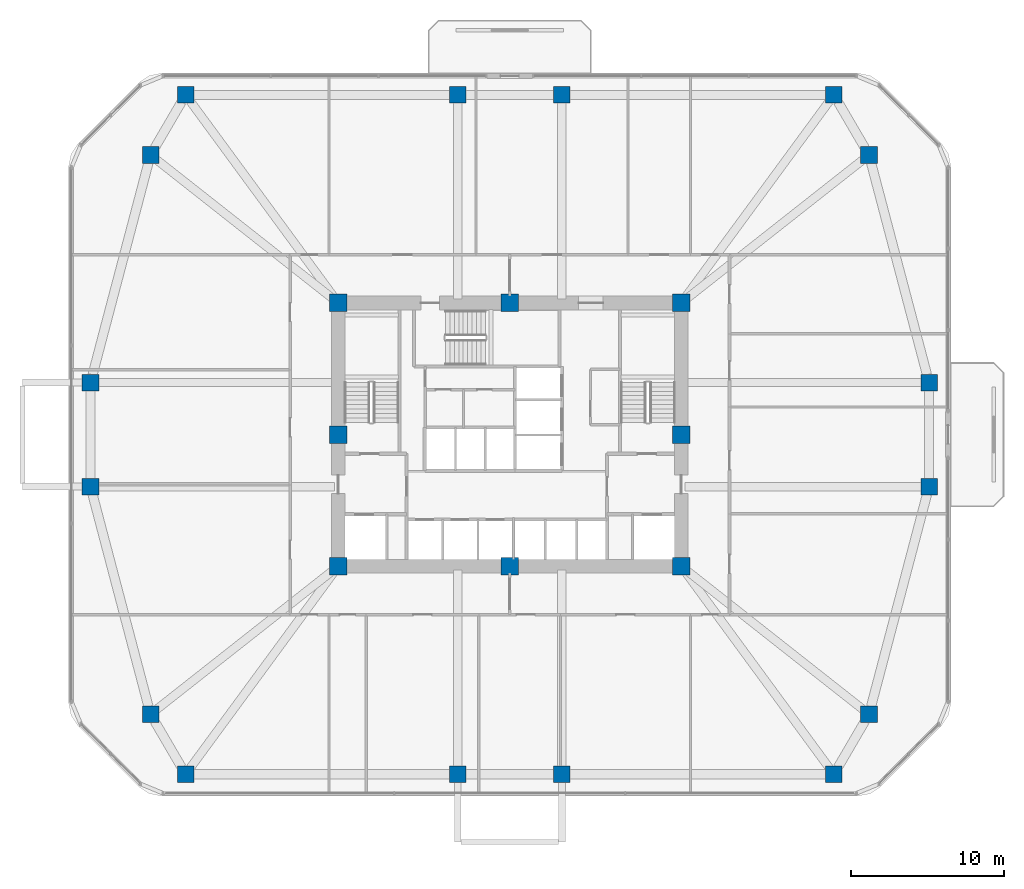
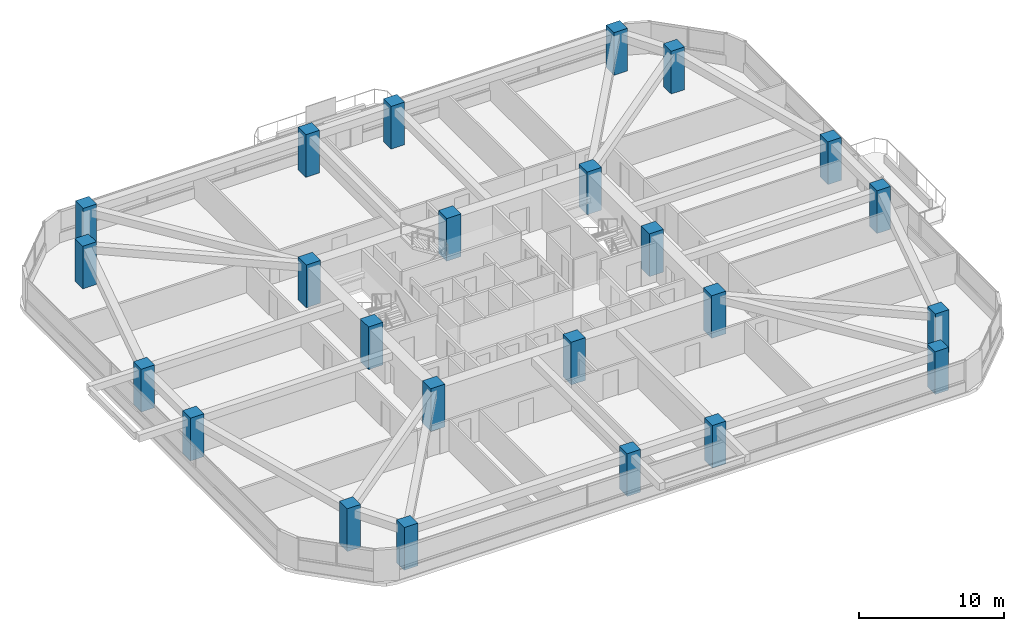
# One storey, part 1 of 14: 24 columns.
"""IFC4 building model written with IfcOpenShell, lengths in metres."""

from ifc_helpers import new_model, si_unit, derived_unit, direction, frame, origin, origin_2d, place, context, subcontext, project, spatial, rectangle, extrude, material, material_profile, profile_set, type_object, element, save


model = new_model("IFC4")

# Units and contexts
model_context = context("Model", 3, precision=1e-05, world=origin(), true_north=direction((0.0, 1.0)))
body_context = subcontext(model_context, "Body", "Model", "MODEL_VIEW")
ifc_project = project(units=[si_unit("LENGTHUNIT", "METRE"), si_unit("AREAUNIT", "SQUARE_METRE"), si_unit("VOLUMEUNIT", "CUBIC_METRE"), si_unit("PLANEANGLEUNIT", "RADIAN"), si_unit("MASSUNIT", "GRAM", prefix="KILO"), derived_unit("THERMALTRANSMITTANCEUNIT", [(si_unit("POWERUNIT", "WATT"), 1), (si_unit("LENGTHUNIT", "METRE"), -2), (si_unit("THERMODYNAMICTEMPERATUREUNIT", "KELVIN"), -1)])], contexts=[model_context])

# Site, building, storey
site_placement = place(None, origin())
site = spatial("IfcSite", under=ifc_project, at=site_placement, CompositionType="ELEMENT")
building_placement = place(site_placement, origin())
building = spatial("IfcBuilding", under=site, at=building_placement, Name="Koralith Skygarden Medical Center", CompositionType="ELEMENT")
storey_placement = place(building_placement, frame((0.0, 0.0, 31.139892578125)))
storey = spatial("IfcBuildingStorey", under=building, at=storey_placement, Name="L07", CompositionType="ELEMENT", Elevation=31.139892578125)

# Columns
ifc_material = material(Name="Concrete C70/85", Category="concrete")
ifc_material_profile_1 = material_profile(ifc_material, rectangle(XDim=1.139892578125, YDim=1.139892578125, at=origin_2d()), Name="RC1140X1140")
ifc_profile_set_1 = profile_set([ifc_material_profile_1], Name="Concrete C70/85")
column_type_1 = type_object("IfcColumnType", Name="Core Mega-Column C70 RC1140", PredefinedType="COLUMN", material=ifc_profile_set_1)
for number, where, z_axis, x_axis, name in (
    (1, (25.800048828125, 17.300048828125, 0.0), (0.0, 0.0, 1.0), (1.0, 0.0, 0.0), "L07 Core Column CC-01"),
    (2, (37.0, 17.300048828125, 0.0), (0.0, 0.0, 1.0), (1.0, 0.0, 0.0), "L07 Core Column CC-02"),
    (3, (48.199951171875, 17.300048828125, 0.0), (0.0, 0.0, 1.0), (1.0, 0.0, 0.0), "L07 Core Column CC-03"),
    (4, (48.199951171875, 25.89990234375, 0.0), (0.0, 0.0, 1.0), (1.0, 0.0, 0.0), "L07 Core Column CC-04"),
    (5, (48.199951171875, 34.5, 0.0), (0.0, 0.0, 1.0), (1.0, 0.0, 0.0), "L07 Core Column CC-05"),
    (6, (37.0, 34.5, 0.0), (0.0, 0.0, 1.0), (1.0, 0.0, 0.0), "L07 Core Column CC-06"),
    (7, (25.800048828125, 34.5, 0.0), (0.0, 0.0, 1.0), (1.0, 0.0, 0.0), "L07 Core Column CC-07"),
    (8, (25.800048828125, 25.89990234375, 0.0), (0.0, 0.0, 1.0), (1.0, 0.0, 0.0), "L07 Core Column CC-08"),
):
    element("IfcColumn", number, at=place(storey_placement, frame(where, z_axis=z_axis, x_axis=x_axis)), inside=storey, type_object=column_type_1, Name=name, PredefinedType="COLUMN", context=body_context, shape_type="SweptSolid", body=[
        extrude(rectangle(XDim=1.139892578125, YDim=1.139892578125, at=origin_2d()), origin(), (0.0, 0.0, 1.0), 3.60009765625),
    ])
ifc_material_profile_2 = material_profile(ifc_material, rectangle(XDim=1.080078125, YDim=1.080078125, at=origin_2d()), Name="RC1080X1080")
ifc_profile_set_2 = profile_set([ifc_material_profile_2], Name="Concrete C70/85")
column_type_2 = type_object("IfcColumnType", Name="Zone 1 Octagonal Mega-Column C70 RC1080", PredefinedType="COLUMN", material=ifc_profile_set_2)
for number, where, z_axis, x_axis, name in (
    (9, (9.6201171875, 22.5, 0.0), (0.0, 0.0, 1.0), (1.0, 0.0, 0.0), "L07 Perimeter Mega-Column MC-01"),
    (10, (13.5400390625, 7.639892578125, 0.0), (0.0, 0.0, 1.0), (1.0, 0.0, 0.0), "L07 Perimeter Mega-Column MC-02"),
    (11, (15.83203125, 3.719970703125, 0.0), (0.0, 0.0, 1.0), (1.0, 0.0, 0.0), "L07 Perimeter Mega-Column MC-03"),
    (12, (33.60009765625, 3.719970703125, 0.0), (0.0, 0.0, 1.0), (1.0, 0.0, 0.0), "L07 Perimeter Mega-Column MC-04"),
    (13, (40.39990234375, 3.719970703125, 0.0), (0.0, 0.0, 1.0), (1.0, 0.0, 0.0), "L07 Perimeter Mega-Column MC-05"),
    (14, (58.16796875, 3.719970703125, 0.0), (0.0, 0.0, 1.0), (1.0, 0.0, 0.0), "L07 Perimeter Mega-Column MC-06"),
    (15, (60.4599609375, 7.639892578125, 0.0), (0.0, 0.0, 1.0), (1.0, 0.0, 0.0), "L07 Perimeter Mega-Column MC-07"),
    (16, (64.3798828125, 22.5, 0.0), (0.0, 0.0, 1.0), (1.0, 0.0, 0.0), "L07 Perimeter Mega-Column MC-08"),
    (17, (64.3798828125, 29.300048828125, 0.0), (0.0, 0.0, 1.0), (1.0, 0.0, 0.0), "L07 Perimeter Mega-Column MC-09"),
    (18, (60.4599609375, 44.159912109375, 0.0), (0.0, 0.0, 1.0), (1.0, 0.0, 0.0), "L07 Perimeter Mega-Column MC-10"),
    (19, (58.16796875, 48.080078125, 0.0), (0.0, 0.0, 1.0), (1.0, 0.0, 0.0), "L07 Perimeter Mega-Column MC-11"),
    (20, (40.39990234375, 48.080078125, 0.0), (0.0, 0.0, 1.0), (1.0, 0.0, 0.0), "L07 Perimeter Mega-Column MC-12"),
    (21, (33.60009765625, 48.080078125, 0.0), (0.0, 0.0, 1.0), (1.0, 0.0, 0.0), "L07 Perimeter Mega-Column MC-13"),
    (22, (15.83203125, 48.080078125, 0.0), (0.0, 0.0, 1.0), (1.0, 0.0, 0.0), "L07 Perimeter Mega-Column MC-14"),
    (23, (13.5400390625, 44.159912109375, 0.0), (0.0, 0.0, 1.0), (1.0, 0.0, 0.0), "L07 Perimeter Mega-Column MC-15"),
    (24, (9.6201171875, 29.300048828125, 0.0), (0.0, 0.0, 1.0), (1.0, 0.0, 0.0), "L07 Perimeter Mega-Column MC-16"),
):
    element("IfcColumn", number, at=place(storey_placement, frame(where, z_axis=z_axis, x_axis=x_axis)), inside=storey, type_object=column_type_2, Name=name, PredefinedType="COLUMN", context=body_context, shape_type="SweptSolid", body=[
        extrude(rectangle(XDim=1.080078125, YDim=1.080078125, at=origin_2d()), origin(), (0.0, 0.0, 1.0), 3.60009765625),
    ])

save(model, "model.ifc")
